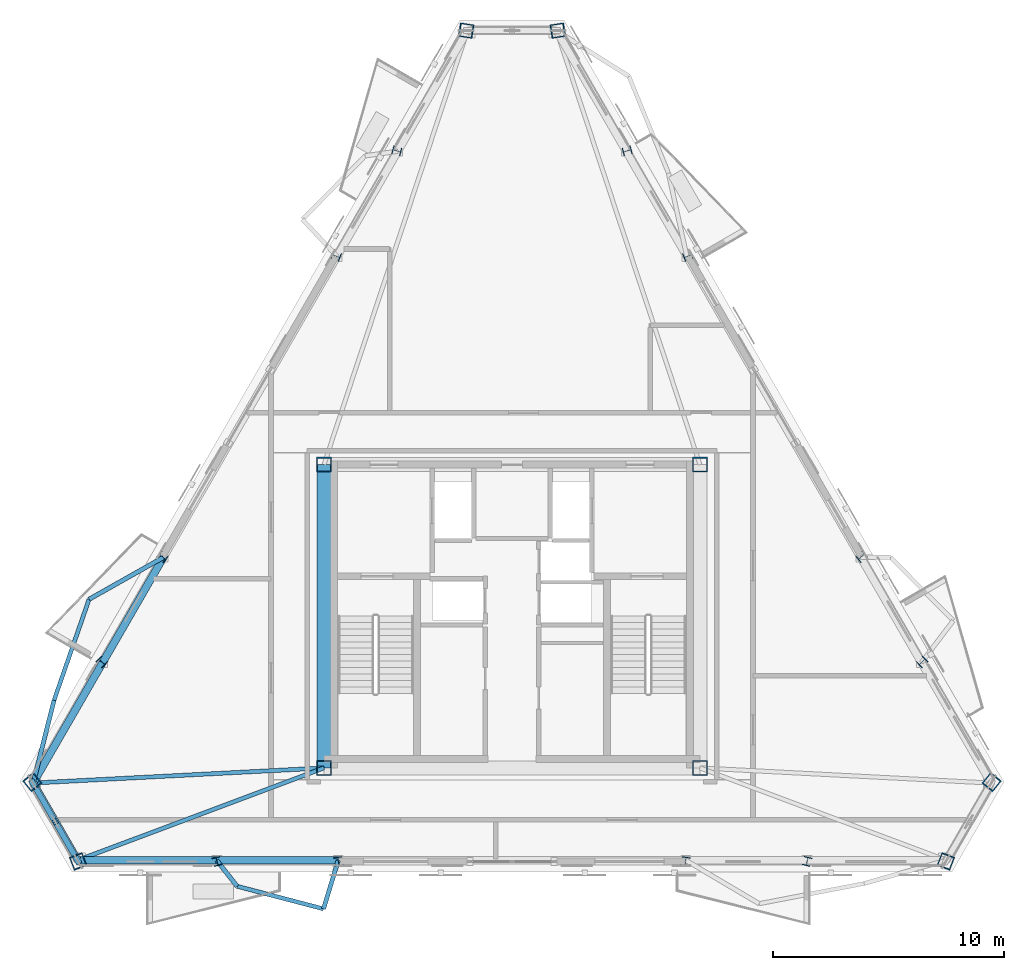
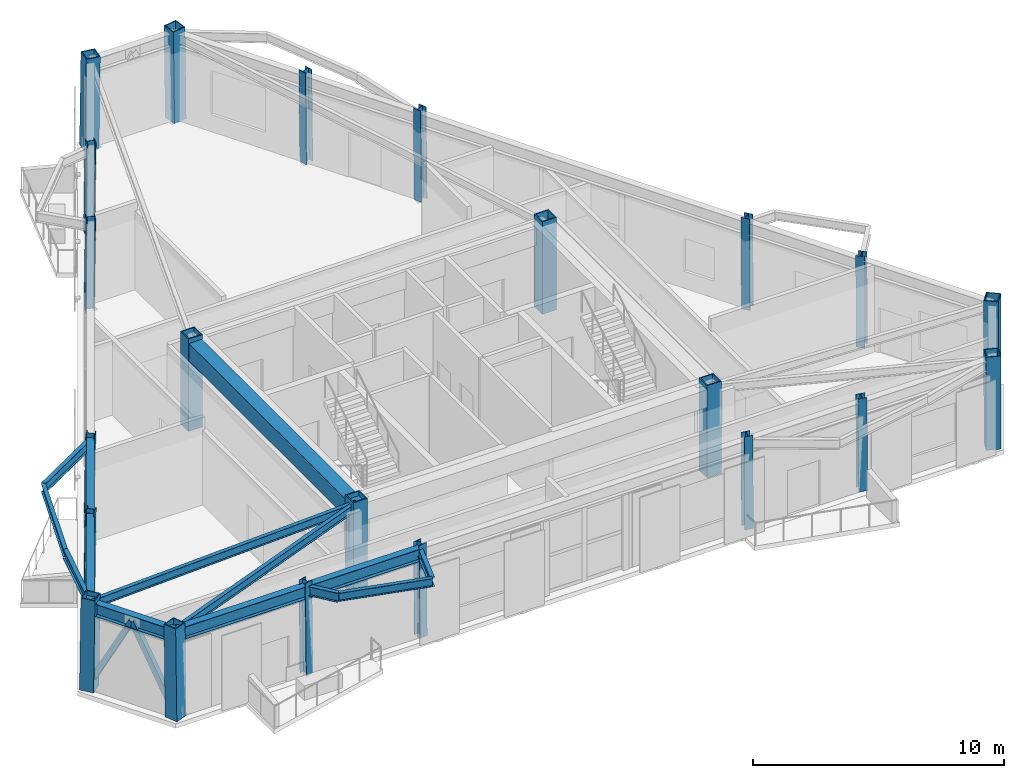
# One storey, part 1 of 16: 22 columns, 14 beams, 2 members.
"""IFC4 building model written with IfcOpenShell, lengths in metres."""

import ifcopenshell
import ifcopenshell.guid

model = None  # the IFC model being written
_history = None  # IfcOwnerHistory: only IFC2X3 demands one
_inside = {}  # id of a spatial element -> (the spatial element, [elements in it])
_under = {}  # id of a project, library or spatial element -> (it, [spatial elements below it])
_declared = {}  # id of a project -> (the project, [libraries it declares])
_typed = {}  # id of a type object -> (the type object, [elements of that type])
_made_of = {}  # id of a material, layer set ... -> (it, [elements and type objects made of it])


def new_model(schema):
    """Start an empty IFC model of exactly this schema.

    Asked for "IFC4X3", IfcOpenShell would pick the latest addendum, in which some entities
    have other attributes; the version numbers below select the first issue.
    IFC2X3 requires an IfcOwnerHistory on every rooted entity: one is made here for all.
    """
    global model, _history
    if schema == "IFC4X3":
        model = ifcopenshell.file(schema_version=(4, 3, 0, 0))
    else:
        model = ifcopenshell.file(schema=schema)
    _inside.clear()
    _under.clear()
    _declared.clear()
    _typed.clear()
    _made_of.clear()
    _history = None
    if model.schema == "IFC2X3":
        org = make("IfcOrganization", Name="unknown")
        user = make(
            "IfcPersonAndOrganization",
            ThePerson=make("IfcPerson", FamilyName="unknown"),
            TheOrganization=org,
        )
        app = make(
            "IfcApplication",
            ApplicationDeveloper=org,
            Version="unknown",
            ApplicationFullName="unknown",
            ApplicationIdentifier="unknown",
        )
        _history = make(
            "IfcOwnerHistory",
            OwningUser=user,
            OwningApplication=app,
            ChangeAction="ADDED",
            CreationDate=0,
        )
    return model


def make(cls, **values):
    """One entity of the class cls with the attributes given. An attribute that is None is left unset."""
    return model.create_entity(
        cls, **{name: value for name, value in values.items() if value is not None}
    )


def rooted(cls, **values):
    """An entity with a GlobalId (a new one), such as an element, a storey or a relation."""
    return make(cls, GlobalId=ifcopenshell.guid.new(), OwnerHistory=_history, **values)


def si_unit(unit_type, name, prefix=None):
    """IfcSIUnit, for example si_unit("LENGTHUNIT", "METRE", prefix="MILLI")."""
    return make("IfcSIUnit", UnitType=unit_type, Prefix=prefix, Name=name)


def assignment(units):
    """IfcUnitAssignment: the units of a project."""
    return None if units is None else make("IfcUnitAssignment", Units=units)


def point(xyz):
    """IfcCartesianPoint."""
    return None if xyz is None else make("IfcCartesianPoint", Coordinates=xyz)


def direction(xyz):
    """IfcDirection."""
    return None if xyz is None else make("IfcDirection", DirectionRatios=xyz)


def frame(location, z_axis=None, x_axis=None):
    """IfcAxis2Placement3D, a coordinate frame: its origin and axes. An axis left out is left unset."""
    return make(
        "IfcAxis2Placement3D",
        Location=point(location),
        Axis=direction(z_axis),
        RefDirection=direction(x_axis),
    )


def frame_2d(location, x_axis=None):
    """IfcAxis2Placement2D, a coordinate frame in the plane: its origin and x axis."""
    return make(
        "IfcAxis2Placement2D", Location=point(location), RefDirection=direction(x_axis)
    )


def origin():
    """The frame at (0, 0, 0) with its axes left unset."""
    return frame((0.0, 0.0, 0.0))


def origin_2d():
    """The frame at (0, 0) in the plane with its x axis left unset."""
    return frame_2d((0.0, 0.0))


def place(relative_to, where):
    """IfcLocalPlacement: puts the frame where relative to a parent placement (None: the world)."""
    return make(
        "IfcLocalPlacement", PlacementRelTo=relative_to, RelativePlacement=where
    )


def context(
    kind, dimensions, precision=None, world=None, true_north=None, identifier=None
):
    """IfcGeometricRepresentationContext, for example the 3D "Model" context."""
    return make(
        "IfcGeometricRepresentationContext",
        ContextIdentifier=identifier,
        ContextType=kind,
        CoordinateSpaceDimension=dimensions,
        Precision=precision,
        WorldCoordinateSystem=world,
        TrueNorth=true_north,
    )


def subcontext(parent, identifier, kind, view, scale=None):
    """IfcGeometricRepresentationSubContext, for example "Body" below "Model"."""
    return make(
        "IfcGeometricRepresentationSubContext",
        ContextIdentifier=identifier,
        ContextType=kind,
        ParentContext=parent,
        TargetScale=scale,
        TargetView=view,
    )


def project(units=None, contexts=None):
    """IfcProject with its units and contexts."""
    return rooted(
        "IfcProject",
        Name="project",
        RepresentationContexts=contexts,
        UnitsInContext=assignment(units),
    )


def spatial(cls, under=None, at=None, **own):
    """A site, building, storey or space (cls), placed at a placement, below another one or the project."""
    s = rooted(cls, ObjectPlacement=at, **own)
    if under is not None:
        _under.setdefault(under.id(), (under, []))[1].append(s)
    return s


def profile(cls, at=None, kind="AREA", **sizes):
    """A parametric profile (cls). Its sizes go by their IFC names, for example OverallWidth=200.0."""
    return make(cls, ProfileType=kind, Position=at, **sizes)


def rectangle(**sizes):
    """IfcRectangleProfileDef."""
    return profile("IfcRectangleProfileDef", **sizes)


def hollow_rectangle(**sizes):
    """IfcRectangleHollowProfileDef."""
    return profile("IfcRectangleHollowProfileDef", **sizes)


def i_section(**sizes):
    """IfcIShapeProfileDef."""
    return profile("IfcIShapeProfileDef", **sizes)


def extrude(swept, where, along, depth):
    """IfcExtrudedAreaSolid: the profile swept, set in the frame where, extruded along a direction by depth."""
    return make(
        "IfcExtrudedAreaSolid",
        SweptArea=swept,
        Position=where,
        ExtrudedDirection=direction(along),
        Depth=depth,
    )


def shape(context_of_items, identifier, shape_type, items):
    """IfcShapeRepresentation: the items that make up one representation, for example the "Body"."""
    return make(
        "IfcShapeRepresentation",
        ContextOfItems=context_of_items,
        RepresentationIdentifier=identifier,
        RepresentationType=shape_type,
        Items=items,
    )


def material(Name=None, Category=None):
    """IfcMaterial."""
    return make("IfcMaterial", Name=Name, Category=Category)


def material_profile(
    of_material, cross_section, Name=None, Category=None, Priority=None
):
    """IfcMaterialProfile: a cross section and its material."""
    return make(
        "IfcMaterialProfile",
        Name=Name,
        Material=of_material,
        Profile=cross_section,
        Priority=Priority,
        Category=Category,
    )


def profile_set(profiles, Name=None, composite=None):
    """IfcMaterialProfileSet."""
    return make(
        "IfcMaterialProfileSet",
        Name=Name,
        MaterialProfiles=profiles,
        CompositeProfile=composite,
    )


def made_of(thing, what):
    """Note that an element or type object is made of a material, layer set ...; save() writes the relation."""
    if what is not None:
        _made_of.setdefault(what.id(), (what, []))[1].append(thing)
    return thing


def type_object(cls, material=None, **own):
    """A type object (cls), such as IfcWallType, which elements share."""
    return made_of(rooted(cls, **own), material)


def element(
    cls,
    number,
    at=None,
    inside=None,
    cuts=None,
    type_object=None,
    material=None,
    context=None,
    identifier="Body",
    shape_type=None,
    held_by="IfcProductDefinitionShape",
    body=None,
    shapes=None,
    **own,
):
    """One element of the class cls, such as IfcWall. Its Tag is "e" and its number.

    at: its placement. inside: the storey or other place that contains it. cuts: it is an
    opening in that element (IfcRelVoidsElement). A single representation is given by context,
    identifier, shape_type and body (its items); several are given by shapes. held_by: the class
    of the entity that holds the representations. save() writes the other relations.
    """
    e = rooted(cls, Tag="e%d" % number, ObjectPlacement=at, **own)
    if body is not None:
        shapes = [shape(context, identifier, shape_type, body)]
    if shapes is not None:
        e.Representation = make(held_by, Representations=shapes)
    if inside is not None:
        _inside.setdefault(inside.id(), (inside, []))[1].append(e)
    if cuts is not None:
        rooted(
            "IfcRelVoidsElement", RelatingBuildingElement=cuts, RelatedOpeningElement=e
        )
    if type_object is not None:
        _typed.setdefault(type_object.id(), (type_object, []))[1].append(e)
    return made_of(e, material)


def aggregate(whole, parts):
    """IfcRelAggregates: a whole, such as a stair, and the parts it consists of."""
    return rooted("IfcRelAggregates", RelatingObject=whole, RelatedObjects=parts)


def save(model, path):
    """Write the relations noted so far, then the file.

    IfcRelAggregates (storeys below a building ...), IfcRelContainedInSpatialStructure (elements
    in a storey), IfcRelDefinesByType, IfcRelAssociatesMaterial and IfcRelDeclares: one each for
    every whole, place, type object, material and project.
    """
    for whole, parts in _under.values():
        aggregate(whole, parts)
    for where, things in _inside.values():
        rooted(
            "IfcRelContainedInSpatialStructure",
            RelatedElements=things,
            RelatingStructure=where,
        )
    for kind, things in _typed.values():
        rooted("IfcRelDefinesByType", RelatedObjects=things, RelatingType=kind)
    for what, things in _made_of.values():
        rooted("IfcRelAssociatesMaterial", RelatedObjects=things, RelatingMaterial=what)
    for by, libraries in _declared.values():
        rooted("IfcRelDeclares", RelatingContext=by, RelatedDefinitions=libraries)
    model.write(path)


model = new_model("IFC4")

# Units and contexts
model_context = context("Model", 3, precision=1e-05, world=origin(), true_north=direction((0.0, 1.0)))
body_context = subcontext(model_context, "Body", "Model", "MODEL_VIEW")
ifc_project = project(units=[si_unit("LENGTHUNIT", "METRE"), si_unit("AREAUNIT", "SQUARE_METRE"), si_unit("VOLUMEUNIT", "CUBIC_METRE"), si_unit("PLANEANGLEUNIT", "RADIAN"), si_unit("MASSUNIT", "GRAM", prefix="KILO")], contexts=[model_context])

# Site, building, storey
site_placement = place(None, origin())
site = spatial("IfcSite", under=ifc_project, at=site_placement, CompositionType="ELEMENT")
building_placement = place(site_placement, origin())
building = spatial("IfcBuilding", under=site, at=building_placement, Name="Oramaril Tower", CompositionType="ELEMENT")
storey_placement = place(building_placement, frame((0.0, 0.0, 296.699951171875)))
storey = spatial("IfcBuildingStorey", under=building, at=storey_placement, Name="L78", CompositionType="ELEMENT", Elevation=296.699951171875)

# Columns
ifc_material_1 = material(Name="Steel ASTM A572 Gr 50", Category="steel")
ifc_material_profile_1 = material_profile(ifc_material_1, hollow_rectangle(XDim=0.64990234375, YDim=0.64990234375, WallThickness=0.050048828125, at=origin_2d()), Name="BOX650X650X50")
ifc_profile_set_1 = profile_set([ifc_material_profile_1], Name="Steel ASTM A572 Gr 50")
column_type_1 = type_object("IfcColumnType", Name="CT-CC5", PredefinedType="COLUMN", material=ifc_profile_set_1)
for number, where, z_axis, x_axis, name in (
    (1, (29.35009765625, 11.0, 0.0), (0.0, 0.0, 1.0), (1.0, 0.0, 0.0), "L78 Core Column CC-1"),
    (2, (45.64990234375, 11.0, 0.0), (0.0, 0.0, 1.0), (1.0, 0.0, 0.0), "L78 Core Column CC-2"),
    (3, (45.64990234375, 24.14990234375, 0.0), (0.0, 0.0, 1.0), (1.0, 0.0, 0.0), "L78 Core Column CC-3"),
    (4, (29.35009765625, 24.14990234375, 0.0), (0.0, 0.0, 1.0), (1.0, 0.0, 0.0), "L78 Core Column CC-4"),
):
    element("IfcColumn", number, at=place(storey_placement, frame(where, z_axis=z_axis, x_axis=x_axis)), inside=storey, type_object=column_type_1, Name=name, PredefinedType="COLUMN", context=body_context, shape_type="SweptSolid", body=[
        extrude(hollow_rectangle(XDim=0.64990234375, YDim=0.64990234375, WallThickness=0.050048828125, at=origin_2d()), origin(), (0.0, 0.0, 1.0), 4.5),
    ])
ifc_material_2 = material(Name="Steel ASTM A572 Gr 50", Category="steel")
ifc_material_profile_2 = material_profile(ifc_material_2, hollow_rectangle(XDim=0.60009765625, YDim=0.60009765625, WallThickness=0.044921875, at=origin_2d()), Name="BOX600X600X45")
ifc_profile_set_2 = profile_set([ifc_material_profile_2], Name="Steel ASTM A572 Gr 50")
column_type_2 = type_object("IfcColumnType", Name="CT-TC5", PredefinedType="COLUMN", material=ifc_profile_set_2)
for number, where, z_axis, x_axis, name in (
    (5, (16.70068359375, 10.391845703125, 0.004638671875), (0.008479798561, -0.010436675152, 0.999909580326), (0.776114000116, 0.630592625094, 0.0), "L78 Tube Column TC-01"),
    (6, (18.69287109375, 6.94140625, 0.004638671875), (-0.004837833208, 0.012556623271, 0.999909459192), (-0.9331372247, -0.35952040259, 0.0), "L78 Tube Column TC-02"),
    (7, (56.30712890625, 6.94140625, 0.004638671875), (0.004837833208, 0.012556623271, 0.999909459192), (-0.9331372247, 0.35952040259, 0.0), "L78 Tube Column TC-03"),
    (8, (58.29931640625, 10.391845703125, 0.004638671875), (-0.008479798561, -0.010436675152, 0.999909580326), (0.776114000116, -0.630592625094, 0.0), "L78 Tube Column TC-04"),
    (9, (39.4921875, 42.966796875, 0.004638671875), (-0.013317627063, -0.002065591136, 0.999909182947), (0.153269423072, -0.988184438226, 0.0), "L78 Tube Column TC-05"),
    (10, (35.5078125, 42.966796875, 0.004638671875), (0.013317627063, -0.002065591136, 0.999909182947), (0.153269423072, 0.988184438226, 0.0), "L78 Tube Column TC-06"),
):
    element("IfcColumn", number, at=place(storey_placement, frame(where, z_axis=z_axis, x_axis=x_axis)), inside=storey, type_object=column_type_2, Name=name, PredefinedType="COLUMN", context=body_context, shape_type="SweptSolid", body=[
        extrude(hollow_rectangle(XDim=0.60009765625, YDim=0.60009765625, WallThickness=0.044921875, at=origin_2d()), origin(), (0.0, 0.0, 1.0), 4.491455078125),
    ])
ifc_material_3 = material(Name="Steel ASTM A572 Gr 50", Category="steel")
ifc_material_profile_3 = material_profile(ifc_material_3, i_section(OverallWidth=0.373046875, OverallDepth=0.373046875, WebThickness=0.016357421875, FlangeThickness=0.026123046875, at=origin_2d()), Name="W14X132")
ifc_profile_set_3 = profile_set([ifc_material_profile_3], Name="Steel ASTM A572 Gr 50")
column_type_3 = type_object("IfcColumnType", Name="CT-TF5", PredefinedType="COLUMN", material=ifc_profile_set_3)
column_1_placement = place(storey_placement, frame((24.711181640625, 6.94140625, 0.004638671875), z_axis=(-0.003315838841, 0.012556701186, 0.999915663678), x_axis=(-0.966857319322, -0.255317300773, 0.0)))
element("IfcColumn", 11, at=column_1_placement, inside=storey, type_object=column_type_3, Name="L78 Tube Column TC-07", PredefinedType="COLUMN", context=body_context, shape_type="SweptSolid", body=[
    extrude(i_section(OverallWidth=0.373046875, OverallDepth=0.373046875, WebThickness=0.016357421875, FlangeThickness=0.026123046875, at=origin_2d()), origin(), (0.0, 0.0, 1.0), 4.491455078125),
])
for number, where, z_axis, x_axis, name in (
    (12, (29.977294921875, 6.94140625, 0.004638671875), (-0.001956895507, 0.012556746173, 0.999919246082), (-0.988073119783, -0.153985421265, 0.0), "L78 Tube Column TC-08"),
    (13, (45.022705078125, 6.94140625, 0.004638671875), (0.001956895507, 0.012556746173, 0.999919246082), (-0.988073119783, 0.153985421265, 0.0), "L78 Tube Column TC-09"),
):
    element("IfcColumn", number, at=place(storey_placement, frame(where, z_axis=z_axis, x_axis=x_axis)), inside=storey, type_object=column_type_3, Name=name, PredefinedType="COLUMN", context=body_context, shape_type="SweptSolid", body=[
        extrude(i_section(OverallWidth=0.373046875, OverallDepth=0.373046875, WebThickness=0.016357421875, FlangeThickness=0.026123046875, at=origin_2d()), origin(), (0.0, 0.0, 1.0), 4.4912109375),
    ])
for number, where, z_axis, x_axis, name in (
    (14, (50.288818359375, 6.94140625, 0.004638671875), (0.003315838841, 0.012556701186, 0.999915663678), (-0.966857319322, 0.255317300773, 0.0), "L78 Tube Column TC-10"),
    (15, (55.2900390625, 15.60400390625, 0.004638671875), (-0.009186508362, -0.009132150324, 0.999916102428), (0.705005437623, -0.709201898561, 0.0), "L78 Tube Column TC-11"),
):
    element("IfcColumn", number, at=place(storey_placement, frame(where, z_axis=z_axis, x_axis=x_axis)), inside=storey, type_object=column_type_3, Name=name, PredefinedType="COLUMN", context=body_context, shape_type="SweptSolid", body=[
        extrude(i_section(OverallWidth=0.373046875, OverallDepth=0.373046875, WebThickness=0.016357421875, FlangeThickness=0.026123046875, at=origin_2d()), origin(), (0.0, 0.0, 1.0), 4.491455078125),
    ])
for number, where, z_axis, x_axis, name in (
    (16, (52.656982421875, 20.164306640625, 0.004638671875), (-0.009893197126, -0.007936300991, 0.999919566654), (0.625739826637, -0.780031838684, 0.0), "L78 Tube Column TC-12"),
    (17, (45.13427734375, 33.1943359375, 0.004638671875), (-0.011850087851, -0.004620447098, 0.999919110172), (0.363271084254, -0.931683486676, 0.0), "L78 Tube Column TC-13"),
):
    element("IfcColumn", number, at=place(storey_placement, frame(where, z_axis=z_axis, x_axis=x_axis)), inside=storey, type_object=column_type_3, Name=name, PredefinedType="COLUMN", context=body_context, shape_type="SweptSolid", body=[
        extrude(i_section(OverallWidth=0.373046875, OverallDepth=0.373046875, WebThickness=0.016357421875, FlangeThickness=0.026123046875, at=origin_2d()), origin(), (0.0, 0.0, 1.0), 4.4912109375),
    ])
for number, where, z_axis, x_axis, name in (
    (18, (42.501220703125, 37.7548828125, 0.004638671875), (-0.012502347106, -0.003424555946, 0.999915978337), (0.264181714081, -0.964472924423, 0.0), "L78 Tube Column TC-14"),
    (19, (32.498779296875, 37.7548828125, 0.004638671875), (0.012502347106, -0.003424555946, 0.999915978337), (0.264181714081, 0.964472924423, 0.0), "L78 Tube Column TC-15"),
):
    element("IfcColumn", number, at=place(storey_placement, frame(where, z_axis=z_axis, x_axis=x_axis)), inside=storey, type_object=column_type_3, Name=name, PredefinedType="COLUMN", context=body_context, shape_type="SweptSolid", body=[
        extrude(i_section(OverallWidth=0.373046875, OverallDepth=0.373046875, WebThickness=0.016357421875, FlangeThickness=0.026123046875, at=origin_2d()), origin(), (0.0, 0.0, 1.0), 4.491455078125),
    ])
for number, where, z_axis, x_axis, name in (
    (20, (29.86572265625, 33.1943359375, 0.004638671875), (0.011850087851, -0.004620447098, 0.999919110172), (0.363271084254, 0.931683486676, 0.0), "L78 Tube Column TC-16"),
    (21, (22.343017578125, 20.164306640625, 0.004638671875), (0.009893197126, -0.007936300991, 0.999919566654), (0.625739826637, 0.780031838684, 0.0), "L78 Tube Column TC-17"),
):
    element("IfcColumn", number, at=place(storey_placement, frame(where, z_axis=z_axis, x_axis=x_axis)), inside=storey, type_object=column_type_3, Name=name, PredefinedType="COLUMN", context=body_context, shape_type="SweptSolid", body=[
        extrude(i_section(OverallWidth=0.373046875, OverallDepth=0.373046875, WebThickness=0.016357421875, FlangeThickness=0.026123046875, at=origin_2d()), origin(), (0.0, 0.0, 1.0), 4.4912109375),
    ])
column_2_placement = place(storey_placement, frame((19.7099609375, 15.60400390625, 0.004638671875), z_axis=(0.009186508362, -0.009132150324, 0.999916102428), x_axis=(0.705005437623, 0.709201898561, 0.0)))
element("IfcColumn", 22, at=column_2_placement, inside=storey, type_object=column_type_3, Name="L78 Tube Column TC-18", PredefinedType="COLUMN", context=body_context, shape_type="SweptSolid", body=[
    extrude(i_section(OverallWidth=0.373046875, OverallDepth=0.373046875, WebThickness=0.016357421875, FlangeThickness=0.026123046875, at=origin_2d()), origin(), (0.0, 0.0, 1.0), 4.491455078125),
])

# Beams
ifc_material_4 = material(Name="Steel ASTM A572 Gr 50", Category="steel")
ifc_material_profile_4 = material_profile(ifc_material_4, i_section(OverallWidth=0.19091796875, OverallDepth=0.45703125, WebThickness=0.009033203125, FlangeThickness=0.014404296875, at=origin_2d()), Name="W18X50")
ifc_profile_set_4 = profile_set([ifc_material_profile_4], Name="Steel ASTM A572 Gr 50")
beam_type_1 = type_object("IfcBeamType", Name="BT-BB1", PredefinedType="BEAM", material=ifc_profile_set_4)
beam_1_placement = place(storey_placement, frame((24.6962890625, 6.997802734375, 4.051513671875), z_axis=(0.618159557297, -0.786052645643, 0.0), x_axis=(0.786052645643, 0.618159557297, 0.0)))
element("IfcBeam", 23, at=beam_1_placement, inside=storey, type_object=beam_type_1, Name="L78 Balcony Column-Framed Cantilever 01.1", PredefinedType="BEAM", context=body_context, shape_type="SweptSolid", body=[
    extrude(i_section(OverallWidth=0.19091796875, OverallDepth=0.45703125, WebThickness=0.009033203125, FlangeThickness=0.014404296875, at=origin_2d()), origin(), (0.0, 0.0, 1.0), 1.435302734375),
])
beam_2_placement = place(storey_placement, frame((29.968505859375, 6.997802734375, 4.051513671875), z_axis=(-0.290852967724, -0.956767762399, 0.0), x_axis=(0.956767762399, -0.290852967724, 0.0)))
element("IfcBeam", 24, at=beam_2_placement, inside=storey, type_object=beam_type_1, Name="L78 Balcony Column-Framed Cantilever 01.2", PredefinedType="BEAM", context=body_context, shape_type="SweptSolid", body=[
    extrude(i_section(OverallWidth=0.19091796875, OverallDepth=0.45703125, WebThickness=0.009033203125, FlangeThickness=0.014404296875, at=origin_2d()), origin(), (0.0, 0.0, 1.0), 2.203369140625),
])
for number, where, z_axis, x_axis, name in (
    (25, (22.387451171875, 20.128662109375, 4.051513671875), (-0.871127575654, -0.491056765491, 0.0), (0.491056765491, -0.871127575654, 0.0), "L78 Balcony Column-Framed Cantilever 06.1"),
    (26, (16.73876953125, 10.344970703125, 4.051513671875), (0.245329243552, 0.969439818791, 0.0), (-0.969439818791, 0.245329243552, 0.0), "L78 Balcony Column-Framed Cantilever 06.2"),
):
    element("IfcBeam", number, at=place(storey_placement, frame(where, z_axis=z_axis, x_axis=x_axis)), inside=storey, type_object=beam_type_1, Name=name, PredefinedType="BEAM", context=body_context, shape_type="SweptSolid", body=[
        extrude(i_section(OverallWidth=0.19091796875, OverallDepth=0.45703125, WebThickness=0.009033203125, FlangeThickness=0.014404296875, at=origin_2d()), origin(), (0.0, 0.0, 1.0), 3.699951171875),
    ])
ifc_material_5 = material(Name="Concrete C50/60", Category="concrete")
ifc_material_profile_5 = material_profile(ifc_material_5, rectangle(XDim=0.60009765625, YDim=0.85009765625, at=origin_2d()), Name="CB600X850")
ifc_profile_set_5 = profile_set([ifc_material_profile_5], Name="Concrete C50/60")
beam_type_2 = type_object("IfcBeamType", Name="BT-CB2", PredefinedType="BEAM", material=ifc_profile_set_5)
beam_3_placement = place(storey_placement, frame((29.35009765625, 24.14990234375, 3.85498046875), z_axis=(0.0, -1.0, 0.0), x_axis=(1.0, 0.0, 0.0)))
element("IfcBeam", 27, at=beam_3_placement, inside=storey, type_object=beam_type_2, Name="L78 Core Header Beam CB-4", PredefinedType="BEAM", context=body_context, shape_type="SweptSolid", body=[
    extrude(rectangle(XDim=0.60009765625, YDim=0.85009765625, at=origin_2d()), origin(), (0.0, 0.0, 1.0), 13.14990234375),
])
ifc_material_6 = material(Name="Steel ASTM A572 Gr 50", Category="steel")
ifc_material_profile_6 = material_profile(ifc_material_6, i_section(OverallWidth=0.177978515625, OverallDepth=0.404052734375, WebThickness=0.007568359375, FlangeThickness=0.010986328125, at=origin_2d()), Name="W16X36")
ifc_profile_set_6 = profile_set([ifc_material_profile_6], Name="Steel ASTM A572 Gr 50")
beam_type_3 = type_object("IfcBeamType", Name="BT-SB1", PredefinedType="BEAM", material=ifc_profile_set_6)
beam_4_placement = place(storey_placement, frame((29.35009765625, 11.0, 4.078125), z_axis=(-0.99865385396, -0.051869836808, 0.0), x_axis=(0.051869836808, -0.99865385396, 0.0)))
element("IfcBeam", 28, at=beam_4_placement, inside=storey, type_object=beam_type_3, Name="L78 Radial Primary Beam RB-01", PredefinedType="BEAM", context=body_context, shape_type="SweptSolid", body=[
    extrude(i_section(OverallWidth=0.177978515625, OverallDepth=0.404052734375, WebThickness=0.007568359375, FlangeThickness=0.010986328125, at=origin_2d()), origin(), (0.0, 0.0, 1.0), 12.62841796875),
])
beam_5_placement = place(storey_placement, frame((29.35009765625, 11.0, 4.078125), z_axis=(-0.936398661268, -0.350938095932, 0.0), x_axis=(0.350938095932, -0.936398661268, 0.0)))
element("IfcBeam", 29, at=beam_5_placement, inside=storey, type_object=beam_type_3, Name="L78 Radial Primary Beam RB-02", PredefinedType="BEAM", context=body_context, shape_type="SweptSolid", body=[
    extrude(i_section(OverallWidth=0.177978515625, OverallDepth=0.404052734375, WebThickness=0.007568359375, FlangeThickness=0.010986328125, at=origin_2d()), origin(), (0.0, 0.0, 1.0), 11.404296875),
])
beam_6_placement = place(storey_placement, frame((25.58349609375, 5.86962890625, 4.078125), z_axis=(0.967411967632, -0.253207592467, 0.0), x_axis=(0.253207592467, 0.967411967632, 0.0)))
element("IfcBeam", 30, at=beam_6_placement, inside=storey, type_object=beam_type_3, Name="L78 Balcony Edge Tie Beam 01", PredefinedType="BEAM", context=body_context, shape_type="SweptSolid", body=[
    extrude(i_section(OverallWidth=0.177978515625, OverallDepth=0.404052734375, WebThickness=0.007568359375, FlangeThickness=0.010986328125, at=origin_2d()), origin(), (0.0, 0.0, 1.0), 3.870361328125),
])
beam_7_placement = place(storey_placement, frame((19.164306640625, 18.311767578125, 4.078125), z_axis=(-0.327439774045, -0.944872051853, 0.0), x_axis=(0.944872051853, -0.327439774045, 0.0)))
element("IfcBeam", 31, at=beam_7_placement, inside=storey, type_object=beam_type_3, Name="L78 Balcony Edge Tie Beam 06", PredefinedType="BEAM", context=body_context, shape_type="SweptSolid", body=[
    extrude(i_section(OverallWidth=0.177978515625, OverallDepth=0.404052734375, WebThickness=0.007568359375, FlangeThickness=0.010986328125, at=origin_2d()), origin(), (0.0, 0.0, 1.0), 4.635498046875),
])
ifc_material_7 = material(Name="Steel ASTM A572 Gr 50", Category="steel")
ifc_material_profile_7 = material_profile(ifc_material_7, i_section(OverallWidth=0.324951171875, OverallDepth=0.612060546875, WebThickness=0.0126953125, FlangeThickness=0.01904296875, at=origin_2d()), Name="W24X104")
ifc_profile_set_7 = profile_set([ifc_material_profile_7], Name="Steel ASTM A572 Gr 50")
beam_type_4 = type_object("IfcBeamType", Name="BT-SP5", PredefinedType="SPANDREL", material=ifc_profile_set_7)
beam_8_placement = place(storey_placement, frame((16.73876953125, 10.344970703125, 3.97412109375), z_axis=(0.499977629202, -0.866038319186, 0.0), x_axis=(0.866038319186, 0.499977629202, 0.0)))
element("IfcBeam", 32, at=beam_8_placement, inside=storey, type_object=beam_type_4, Name="L78 Perimeter Spandrel 01", PredefinedType="SPANDREL", context=body_context, shape_type="SweptSolid", body=[
    extrude(i_section(OverallWidth=0.324951171875, OverallDepth=0.612060546875, WebThickness=0.0126953125, FlangeThickness=0.01904296875, at=origin_2d()), origin(), (0.0, 0.0, 1.0), 3.864990234375),
])
beam_9_placement = place(storey_placement, frame((18.671142578125, 6.997802734375, 3.97412109375), z_axis=(1.0, 0.0, 0.0), x_axis=(0.0, 1.0, 0.0)))
element("IfcBeam", 33, at=beam_9_placement, inside=storey, type_object=beam_type_4, Name="L78 Perimeter Spandrel 02", PredefinedType="SPANDREL", context=body_context, shape_type="SweptSolid", body=[
    extrude(i_section(OverallWidth=0.324951171875, OverallDepth=0.612060546875, WebThickness=0.0126953125, FlangeThickness=0.01904296875, at=origin_2d()), origin(), (0.0, 0.0, 1.0), 6.025146484375),
])
for number, where, z_axis, x_axis, name in (
    (34, (24.6962890625, 6.997802734375, 3.97412109375), (1.0, 0.0, 0.0), (0.0, 1.0, 0.0), "L78 Perimeter Spandrel 03"),
    (35, (22.387451171875, 20.128662109375, 3.97412109375), (-0.500033779542, -0.866005900279, 0.0), (0.866005900279, -0.500033779542, 0.0), "L78 Perimeter Spandrel 17"),
):
    element("IfcBeam", number, at=place(storey_placement, frame(where, z_axis=z_axis, x_axis=x_axis)), inside=storey, type_object=beam_type_4, Name=name, PredefinedType="SPANDREL", context=body_context, shape_type="SweptSolid", body=[
        extrude(i_section(OverallWidth=0.324951171875, OverallDepth=0.612060546875, WebThickness=0.0126953125, FlangeThickness=0.01904296875, at=origin_2d()), origin(), (0.0, 0.0, 1.0), 5.272216796875),
    ])
beam_10_placement = place(storey_placement, frame((19.751220703125, 15.56298828125, 3.97412109375), z_axis=(-0.4999785048, -0.866037813688, 0.0), x_axis=(0.866037813688, -0.4999785048, 0.0)))
element("IfcBeam", 36, at=beam_10_placement, inside=storey, type_object=beam_type_4, Name="L78 Perimeter Spandrel 18", PredefinedType="SPANDREL", context=body_context, shape_type="SweptSolid", body=[
    extrude(i_section(OverallWidth=0.324951171875, OverallDepth=0.612060546875, WebThickness=0.0126953125, FlangeThickness=0.01904296875, at=origin_2d()), origin(), (0.0, 0.0, 1.0), 6.025146484375),
])

# Members
ifc_material_8 = material(Name="Steel ASTM A572 Gr 50", Category="steel")
ifc_material_profile_8 = material_profile(ifc_material_8, hollow_rectangle(XDim=0.25, YDim=0.25, WallThickness=0.011962890625, at=origin_2d()), Name="HSS250X250X12")
ifc_profile_set_8 = profile_set([ifc_material_profile_8], Name="Steel ASTM A572 Gr 50")
member_type = type_object("IfcMemberType", Name="MT-KB3", PredefinedType="BRACE", material=ifc_profile_set_8)
for number, where, z_axis, x_axis, name in (
    (37, (16.70068359375, 10.391845703125, 0.179931640625), (0.232496703859, -0.402553714645, 0.885378896022), (0.865948818995, 0.500132625292, 0.0), "L78 Perimeter Chevron Brace KB-1A"),
    (38, (18.69287109375, 6.94140625, 0.179931640625), (-0.232383587569, 0.402612114084, 0.885382038344), (-0.866085594438, -0.499895732236, 0.0), "L78 Perimeter Chevron Brace KB-1B"),
):
    element("IfcMember", number, at=place(storey_placement, frame(where, z_axis=z_axis, x_axis=x_axis)), inside=storey, type_object=member_type, Name=name, PredefinedType="BRACE", context=body_context, shape_type="SweptSolid", body=[
        extrude(hollow_rectangle(XDim=0.25, YDim=0.25, WallThickness=0.011962890625, at=origin_2d()), origin(), (0.0, 0.0, 1.0), 4.285400390625),
    ])

save(model, "model.ifc")
